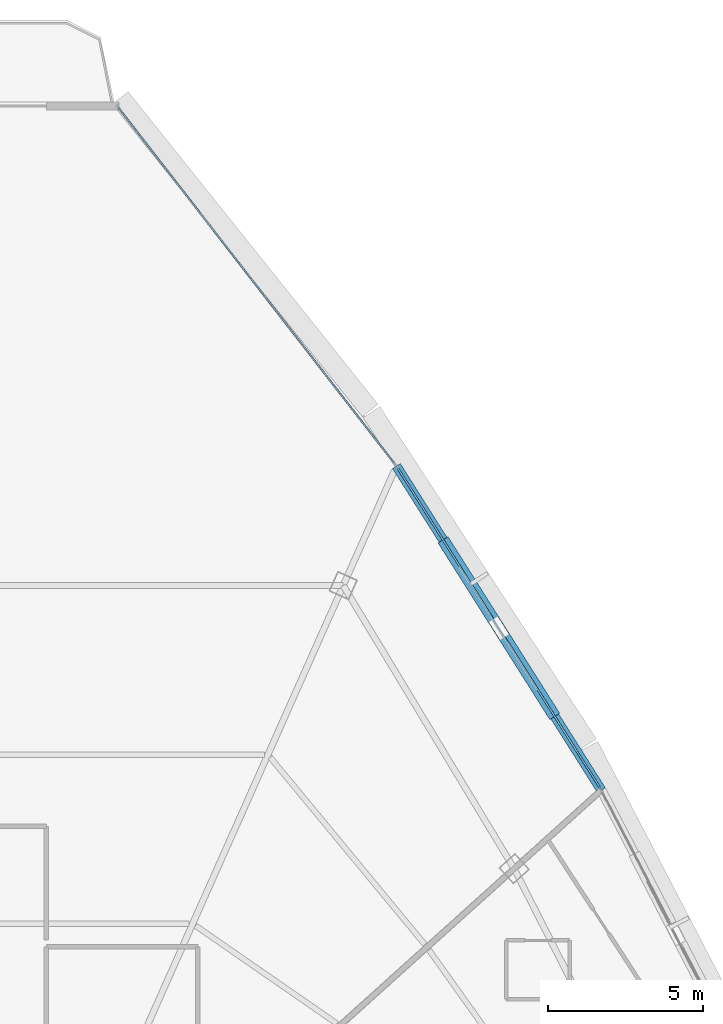
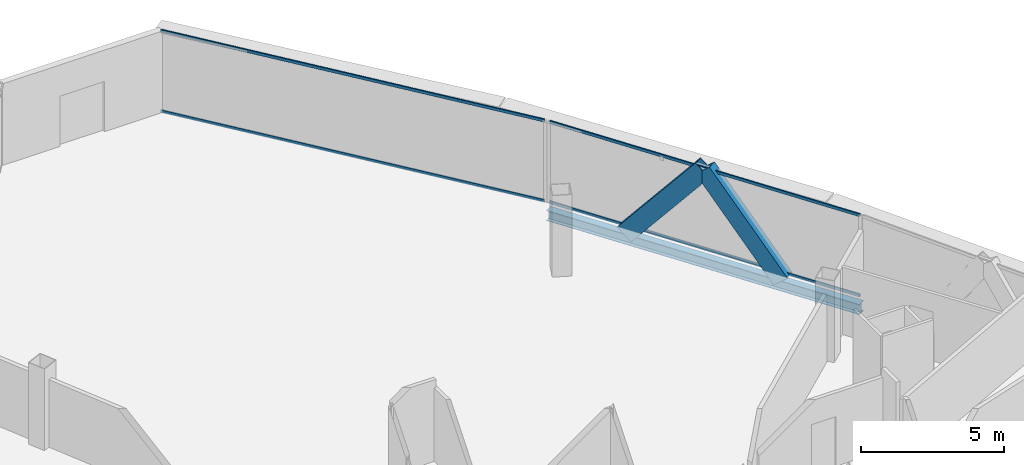
# One storey, part 23 of 33: 6 members, 1 beam, 2 elements without a shape of their own.
"""IFC4 building model written with IfcOpenShell, lengths in metres."""

from ifc_helpers import new_model, si_unit, direction, frame, origin, origin_2d, place, context, subcontext, project, spatial, hollow_rectangle, i_section, extrude, source, transform, mapped, material, layer, layer_set, material_profile, profile_set, type_object, element, aggregate, save


model = new_model("IFC4")

# Units and contexts
model_context = context("Model", 3, precision=1e-05, world=origin(), true_north=direction((0.0, 1.0)))
body_context = subcontext(model_context, "Body", "Model", "MODEL_VIEW")
ifc_project = project(units=[si_unit("LENGTHUNIT", "METRE"), si_unit("AREAUNIT", "SQUARE_METRE"), si_unit("VOLUMEUNIT", "CUBIC_METRE"), si_unit("PLANEANGLEUNIT", "RADIAN"), si_unit("MASSUNIT", "GRAM", prefix="KILO"), si_unit("THERMODYNAMICTEMPERATUREUNIT", "KELVIN"), si_unit("POWERUNIT", "WATT")], contexts=[model_context])

# Site, building, storey
site_placement = place(None, origin())
site = spatial("IfcSite", under=ifc_project, at=site_placement, CompositionType="ELEMENT")
building_placement = place(site_placement, origin())
building = spatial("IfcBuilding", under=site, at=building_placement, Name="Yunzhuo Pagoda Commons", CompositionType="ELEMENT")
storey_placement = place(building_placement, frame((0.0, 0.0, 325.510009765625)))
storey = spatial("IfcBuildingStorey", under=building, at=storey_placement, Name="L81", CompositionType="ELEMENT", Elevation=325.510009765625)

# Beam
ifc_material_1 = material(Name="Structural steel Q355B", Category="steel")
ifc_material_profile_1 = material_profile(ifc_material_1, i_section(OverallWidth=0.300048828125, OverallDepth=0.43994140625, WebThickness=0.010986328125, FlangeThickness=0.01806640625, at=origin_2d()), Name="Structural steel Q355B")
ifc_profile_set_1 = profile_set([ifc_material_profile_1], Name="Structural steel Q355B")
beam_type = type_object("IfcBeamType", Name="B-SP2 Beam HM 440x300x11x18", PredefinedType="BEAM", material=ifc_profile_set_1)
shared_shape_1 = source(origin(), body_context, "Body", "SweptSolid", [
    extrude(i_section(OverallWidth=0.300048828125, OverallDepth=0.43994140625, WebThickness=0.010986328125, FlangeThickness=0.01806640625, at=origin_2d()), origin(), (0.0, 0.0, 1.0), 12.39501953125),
])
beam_placement = place(storey_placement, frame((66.84375, 50.6669921875, -0.47998046875), z_axis=(-0.534530897575, 0.845148933347, 0.0), x_axis=(-0.845148933347, -0.534530897575, 0.0)))
element("IfcBeam", 1, at=beam_placement, inside=storey, type_object=beam_type, Name="L81 facade edge spandrel beam F2.3", PredefinedType="BEAM", context=body_context, shape_type="MappedRepresentation", body=[
    mapped(shared_shape_1, transform((0.0, 0.0, 0.0), scale=1.0)),
])

# Members
ifc_material_profile_2 = material_profile(ifc_material_1, hollow_rectangle(XDim=0.3798828125, YDim=0.719970703125, WallThickness=0.02001953125, at=origin_2d()), Name="Structural steel Q355B")
ifc_profile_set_2 = profile_set([ifc_material_profile_2], Name="Structural steel Q355B")
member_type_1 = type_object("IfcMemberType", Name="M-DL3 Brace BOX 720x380x20", PredefinedType="BRACE", material=ifc_profile_set_2)
shared_shape_2 = source(origin(), body_context, "Body", "SweptSolid", [
    extrude(hollow_rectangle(XDim=0.3798828125, YDim=0.719970703125, WallThickness=0.02001953125, at=origin_2d()), origin(), (0.0, 0.0, 1.0), 4.864501953125),
])
member_1_placement = place(storey_placement, frame((65.187255859375, 53.285888671875, -0.260009765625), z_axis=(-0.340470287442, 0.538358604568, 0.77087612251), x_axis=(-0.845166729607, -0.534502758801, 0.0)))
element("IfcMember", 2, at=member_1_placement, inside=storey, type_object=member_type_1, Name="L81 facade diamond brace F2.3L", PredefinedType="BRACE", context=body_context, shape_type="MappedRepresentation", body=[
    mapped(shared_shape_2, transform((0.0, 0.0, 0.0), scale=1.0)),
])
shared_shape_3 = source(origin(), body_context, "Body", "SweptSolid", [
    extrude(hollow_rectangle(XDim=0.3798828125, YDim=0.719970703125, WallThickness=0.02001953125, at=origin_2d()), origin(), (0.0, 0.0, 1.0), 4.86474609375),
])
member_2_placement = place(storey_placement, frame((61.87451171875, 58.523681640625, -0.260009765625), z_axis=(0.340514655846, -0.538349405049, 0.770862949711), x_axis=(0.845131136899, 0.534559034573, 0.0)))
element("IfcMember", 3, at=member_2_placement, inside=storey, type_object=member_type_1, Name="L81 facade diamond brace F2.3R", PredefinedType="BRACE", context=body_context, shape_type="MappedRepresentation", body=[
    mapped(shared_shape_3, transform((0.0, 0.0, 0.0), scale=1.0)),
])

# Curtain wall, members
ifc_material_2 = material(Name="Anodized aluminium 6063-T6", Category="aluminium")
ifc_layer = layer(ifc_material_2, 0.139892578125)
ifc_layer_set = layer_set([ifc_layer], Name="Anodized aluminium 6063-T6")
curtain_wall_type = type_object("IfcCurtainWallType", Name="CW-HI High-Zone Ribbon Curtain Wall", PredefinedType="NOTDEFINED", material=ifc_layer_set)
curtain_wall_1_placement = place(storey_placement, origin())
curtain_wall_1 = element("IfcCurtainWall", 4, at=curtain_wall_1_placement, inside=storey, type_object=curtain_wall_type, Name="L81 curtain wall CW-L81-F2B4", PredefinedType="NOTDEFINED")
ifc_material_profile_3 = material_profile(ifc_material_2, hollow_rectangle(XDim=0.054931640625, YDim=0.1201171875, WallThickness=0.00341796875, at=origin_2d()), Name="Anodized aluminium 6063-T6")
ifc_profile_set_3 = profile_set([ifc_material_profile_3], Name="Anodized aluminium 6063-T6")
member_type_2 = type_object("IfcMemberType", Name="CW-HI-T Transom RHS 120x55x3.5", PredefinedType="USERDEFINED", material=ifc_profile_set_3)
shared_shape_4 = source(origin(), body_context, "Body", "SweptSolid", [
    extrude(hollow_rectangle(XDim=0.054931640625, YDim=0.1201171875, WallThickness=0.00341796875, at=origin_2d()), origin(), (0.0, 0.0, 1.0), 12.27490234375),
])
member_3_placement = place(storey_placement, frame((66.8115234375, 50.7177734375, 0.027587890625), z_axis=(-0.53453242194, 0.845147969231, 0.0), x_axis=(-0.845147969231, -0.53453242194, 0.0)))
member_3 = element("IfcMember", 5, at=member_3_placement, type_object=member_type_2, Name="CW transom 1.1", ObjectType="TRANSOM", PredefinedType="USERDEFINED", context=body_context, shape_type="MappedRepresentation", body=[
    mapped(shared_shape_4, transform((0.0, 0.0, 0.0), scale=1.0)),
])
member_4_placement = place(storey_placement, frame((66.8115234375, 50.7177734375, 3.46240234375), z_axis=(-0.53453242194, 0.845147969231, 0.0), x_axis=(-0.845147969231, -0.53453242194, 0.0)))
member_4 = element("IfcMember", 6, at=member_4_placement, type_object=member_type_2, Name="CW transom 1.2", ObjectType="TRANSOM", PredefinedType="USERDEFINED", context=body_context, shape_type="MappedRepresentation", body=[
    mapped(shared_shape_4, transform((0.0, 0.0, 0.0), scale=1.0)),
])
aggregate(curtain_wall_1, [member_3, member_4])

curtain_wall_2_placement = place(storey_placement, origin())
curtain_wall_2 = element("IfcCurtainWall", 7, at=curtain_wall_2_placement, inside=storey, type_object=curtain_wall_type, Name="L81 curtain wall CW-L81-F2B5", PredefinedType="NOTDEFINED")
shared_shape_5 = source(origin(), body_context, "Body", "SweptSolid", [
    extrude(hollow_rectangle(XDim=0.054931640625, YDim=0.1201171875, WallThickness=0.00341796875, at=origin_2d()), origin(), (0.0, 0.0, 1.0), 14.537353515625),
])
member_5_placement = place(storey_placement, frame((60.135498046875, 61.249267578125, 0.027587890625), z_axis=(-0.612918112301, 0.790146434285, 0.0), x_axis=(-0.790146434285, -0.612918112301, 0.0)))
member_5 = element("IfcMember", 8, at=member_5_placement, type_object=member_type_2, Name="CW transom 1.1", ObjectType="TRANSOM", PredefinedType="USERDEFINED", context=body_context, shape_type="MappedRepresentation", body=[
    mapped(shared_shape_5, transform((0.0, 0.0, 0.0), scale=1.0)),
])
member_6_placement = place(storey_placement, frame((60.135498046875, 61.249267578125, 3.46240234375), z_axis=(-0.612918112301, 0.790146434285, 0.0), x_axis=(-0.790146434285, -0.612918112301, 0.0)))
member_6 = element("IfcMember", 9, at=member_6_placement, type_object=member_type_2, Name="CW transom 1.2", ObjectType="TRANSOM", PredefinedType="USERDEFINED", context=body_context, shape_type="MappedRepresentation", body=[
    mapped(shared_shape_5, transform((0.0, 0.0, 0.0), scale=1.0)),
])
aggregate(curtain_wall_2, [member_5, member_6])

save(model, "model.ifc")
